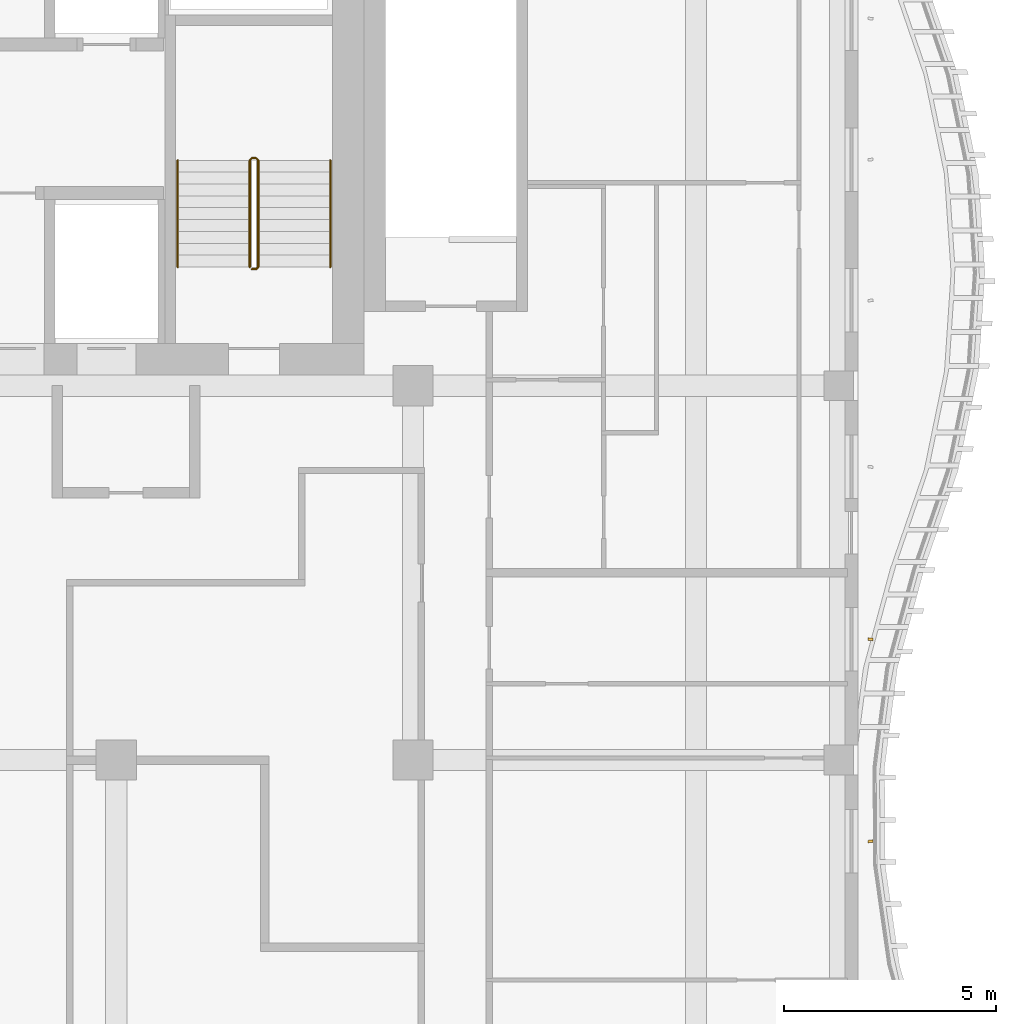
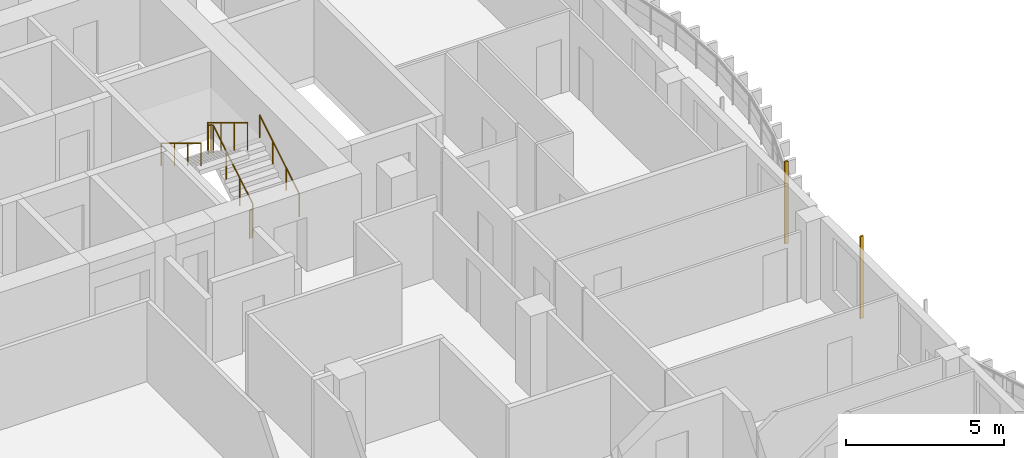
# One storey, part 16 of 18: 3 railings, 2 shading devices.
"""IFC4 building model written with IfcOpenShell, lengths in metres."""

from ifc_helpers import new_model, si_unit, direction, frame, origin, origin_2d, place, context, subcontext, project, spatial, rectangle, circle, extrude, source, transform, mapped, material, material_profile, profile_set, type_object, element, save


model = new_model("IFC4")

# Units and contexts
model_context = context("Model", 3, precision=1e-05, world=origin(), true_north=direction((0.0, 1.0)))
body_context = subcontext(model_context, "Body", "Model", "MODEL_VIEW")
ifc_project = project(units=[si_unit("LENGTHUNIT", "METRE"), si_unit("AREAUNIT", "SQUARE_METRE"), si_unit("VOLUMEUNIT", "CUBIC_METRE"), si_unit("PLANEANGLEUNIT", "RADIAN"), si_unit("MASSUNIT", "GRAM", prefix="KILO")], contexts=[model_context])

# Site, building, storey
site_placement = place(None, origin())
site = spatial("IfcSite", under=ifc_project, at=site_placement, CompositionType="ELEMENT")
building_placement = place(site_placement, origin())
building = spatial("IfcBuilding", under=site, at=building_placement, Name="Kilnfold Tower and Market Hall", CompositionType="ELEMENT")
storey_placement = place(building_placement, frame((0.0, 0.0, 256.0)))
storey = spatial("IfcBuildingStorey", under=building, at=storey_placement, Name="L62", CompositionType="ELEMENT", Elevation=256.0)

# Railings
ifc_material_1 = material(Name="Stainless steel 316", Category="steel")
railing_type_1 = type_object("IfcRailingType", Name="CORE STAIR GUARD 1100", PredefinedType="GUARDRAIL", material=ifc_material_1)
railing_1_placement = place(storey_placement, frame((15.199951171875, 10.75, 0.0)))
element("IfcRailing", 1, at=railing_1_placement, inside=storey, type_object=railing_type_1, Name="L62 ST2 stair guard 1", PredefinedType="GUARDRAIL", context=body_context, shape_type="SweptSolid", body=[
    extrude(circle(Radius=0.02392578125, at=origin_2d()), frame((0.0, 0.0, 1.076171875), z_axis=(1.0, 0.0, 0.0), x_axis=(0.0, 1.0, 0.0)), (0.0, 0.0, 1.0), 0.10009765625),
    extrude(circle(Radius=0.02392578125, at=origin_2d()), frame((0.10009765625, 0.0, 1.076171875), z_axis=(0.271895245746, 0.271895245746, 0.923117517265), x_axis=(-0.707106781187, 0.707106781187, 0.0)), (0.0, 0.0, 1.0), 0.18408203125),
    extrude(circle(Radius=0.02392578125, at=origin_2d()), frame((0.150146484375, 0.050048828125, 1.24609375), z_axis=(0.0, 0.85478489116, 0.518982456201), x_axis=(-1.0, 0.0, 0.0)), (0.0, 0.0, 1.0), 2.9482421875),
    extrude(circle(Radius=0.02392578125, at=origin_2d()), frame((0.150146484375, 2.570068359375, 2.77587890625), z_axis=(-0.707106781187, 0.707106781187, 0.0), x_axis=(-0.707106781187, -0.707106781187, 0.0)), (0.0, 0.0, 1.0), 0.07080078125),
    extrude(circle(Radius=0.02392578125, at=origin_2d()), frame((0.10009765625, 2.6201171875, 2.77587890625), z_axis=(-1.0, 0.0, 0.0), x_axis=(0.0, -1.0, 0.0)), (0.0, 0.0, 1.0), 0.10009765625),
    extrude(circle(Radius=0.02392578125, at=origin_2d()), frame((0.0, 2.6201171875, 2.77587890625), z_axis=(-0.271562723297, -0.271562723297, 0.923313259209), x_axis=(0.707106781187, -0.707106781187, 0.0)), (0.0, 0.0, 1.0), 0.184326171875),
    extrude(circle(Radius=0.02392578125, at=origin_2d()), frame((-0.050048828125, 2.570068359375, 2.9462890625), z_axis=(0.0, -0.854821627497, 0.518921945155), x_axis=(1.0, 0.0, 0.0)), (0.0, 0.0, 1.0), 2.947998046875),
    extrude(circle(Radius=0.02099609375, at=origin_2d()), origin(), (0.0, 0.0, 1.0), 1.052001953125),
    extrude(circle(Radius=0.02099609375, at=origin_2d()), frame((0.10009765625, 0.0, 0.0)), (0.0, 0.0, 1.0), 1.052001953125),
    extrude(circle(Radius=0.02099609375, at=origin_2d()), frame((0.150146484375, 0.050048828125, 0.169921875)), (0.0, 0.0, 1.0), 1.052001953125),
    extrude(circle(Radius=0.02099609375, at=origin_2d()), frame((0.150146484375, 0.89013671875, 0.679931640625)), (0.0, 0.0, 1.0), 1.052001953125),
    extrude(circle(Radius=0.02099609375, at=origin_2d()), frame((0.150146484375, 1.72998046875, 1.18994140625)), (0.0, 0.0, 1.0), 1.052001953125),
    extrude(circle(Radius=0.02099609375, at=origin_2d()), frame((0.150146484375, 2.570068359375, 1.699951171875)), (0.0, 0.0, 1.0), 1.052001953125),
    extrude(circle(Radius=0.02099609375, at=origin_2d()), frame((0.10009765625, 2.6201171875, 1.699951171875)), (0.0, 0.0, 1.0), 1.052001953125),
    extrude(circle(Radius=0.02099609375, at=origin_2d()), frame((0.0, 2.6201171875, 1.699951171875)), (0.0, 0.0, 1.0), 1.052001953125),
    extrude(circle(Radius=0.02099609375, at=origin_2d()), frame((-0.050048828125, 2.570068359375, 1.8701171875)), (0.0, 0.0, 1.0), 1.052001953125),
    extrude(circle(Radius=0.02099609375, at=origin_2d()), frame((-0.050048828125, 1.72998046875, 2.380126953125)), (0.0, 0.0, 1.0), 1.052001953125),
    extrude(circle(Radius=0.02099609375, at=origin_2d()), frame((-0.050048828125, 0.89013671875, 2.889892578125)), (0.0, 0.0, 1.0), 1.052001953125),
    extrude(circle(Radius=0.02099609375, at=origin_2d()), frame((-0.050048828125, 0.050048828125, 3.39990234375)), (0.0, 0.0, 1.0), 1.052001953125),
])
ifc_material_2 = material(Name="Stainless steel 316", Category="steel")
railing_type_2 = type_object("IfcRailingType", Name="CORE STAIR HANDRAIL 900", PredefinedType="HANDRAIL", material=ifc_material_2)
railing_2_placement = place(storey_placement, frame((17.050048828125, 10.800048828125, 0.169921875)))
element("IfcRailing", 2, at=railing_2_placement, inside=storey, type_object=railing_type_2, Name="L62 ST2 stair handrail 1", PredefinedType="HANDRAIL", context=body_context, shape_type="SweptSolid", body=[
    extrude(circle(Radius=0.02392578125, at=origin_2d()), frame((0.0, 0.0, 0.8759765625), z_axis=(0.0, 0.85478489116, 0.518982456201), x_axis=(-1.0, 0.0, 0.0)), (0.0, 0.0, 1.0), 2.9482421875),
    extrude(circle(Radius=0.02099609375, at=origin_2d()), origin(), (0.0, 0.0, 1.0), 0.851806640625),
    extrude(circle(Radius=0.02099609375, at=origin_2d()), frame((0.0, 0.840087890625, 0.510009765625)), (0.0, 0.0, 1.0), 0.851806640625),
    extrude(circle(Radius=0.02099609375, at=origin_2d()), frame((0.0, 1.679931640625, 1.02001953125)), (0.0, 0.0, 1.0), 0.851806640625),
    extrude(circle(Radius=0.02099609375, at=origin_2d()), frame((0.0, 2.52001953125, 1.530029296875)), (0.0, 0.0, 1.0), 0.851806640625),
])
railing_3_placement = place(storey_placement, frame((13.449951171875, 13.320068359375, 1.8701171875)))
element("IfcRailing", 3, at=railing_3_placement, inside=storey, type_object=railing_type_2, Name="L62 ST2 stair handrail 2", PredefinedType="HANDRAIL", context=body_context, shape_type="SweptSolid", body=[
    extrude(circle(Radius=0.02392578125, at=origin_2d()), frame((0.0, 0.0, 0.8759765625), z_axis=(0.0, -0.854821627497, 0.518921945155), x_axis=(1.0, 0.0, 0.0)), (0.0, 0.0, 1.0), 2.947998046875),
    extrude(circle(Radius=0.02099609375, at=origin_2d()), origin(), (0.0, 0.0, 1.0), 0.851806640625),
    extrude(circle(Radius=0.02099609375, at=origin_2d()), frame((0.0, -0.840087890625, 0.510009765625)), (0.0, 0.0, 1.0), 0.851806640625),
    extrude(circle(Radius=0.02099609375, at=origin_2d()), frame((0.0, -1.679931640625, 1.019775390625)), (0.0, 0.0, 1.0), 0.851806640625),
    extrude(circle(Radius=0.02099609375, at=origin_2d()), frame((0.0, -2.52001953125, 1.52978515625)), (0.0, 0.0, 1.0), 0.851806640625),
])

# Shading devices
ifc_material_3 = material(Name="Terracotta", Category="masonry")
ifc_material_profile = material_profile(ifc_material_3, rectangle(XDim=0.06005859375, YDim=0.1201171875, at=origin_2d()), Name="BAG 60x120")
ifc_profile_set = profile_set([ifc_material_profile], Name="Terracotta")
shading_device_type = type_object("IfcShadingDeviceType", Name="BAGUETTE", PredefinedType="USERDEFINED", material=ifc_profile_set)
shared_shape = source(origin(), body_context, "Body", "SweptSolid", [
    extrude(rectangle(XDim=0.06005859375, YDim=0.1201171875, at=origin_2d()), origin(), (0.0, 0.0, 1.0), 3.179931640625),
])
for number, where, z_axis, x_axis, name in (
    (4, (29.800048828125, -2.75, 0.0), (0.0, 0.0, 1.0), (-0.132252930261, 0.991216001907, 0.0), "Terracotta baguette L62 E"),
    (5, (29.800048828125, 2.0166015625, 0.0), (0.0, 0.0, 1.0), (0.107947301935, 0.994156617443, 0.0), "Terracotta baguette L62 E"),
):
    element("IfcShadingDevice", number, at=place(storey_placement, frame(where, z_axis=z_axis, x_axis=x_axis)), inside=storey, type_object=shading_device_type, Name=name, ObjectType="BAGUETTE", PredefinedType="USERDEFINED", context=body_context, shape_type="MappedRepresentation", body=[
        mapped(shared_shape, transform((0.0, 0.0, 0.0))),
    ])

save(model, "model.ifc")
